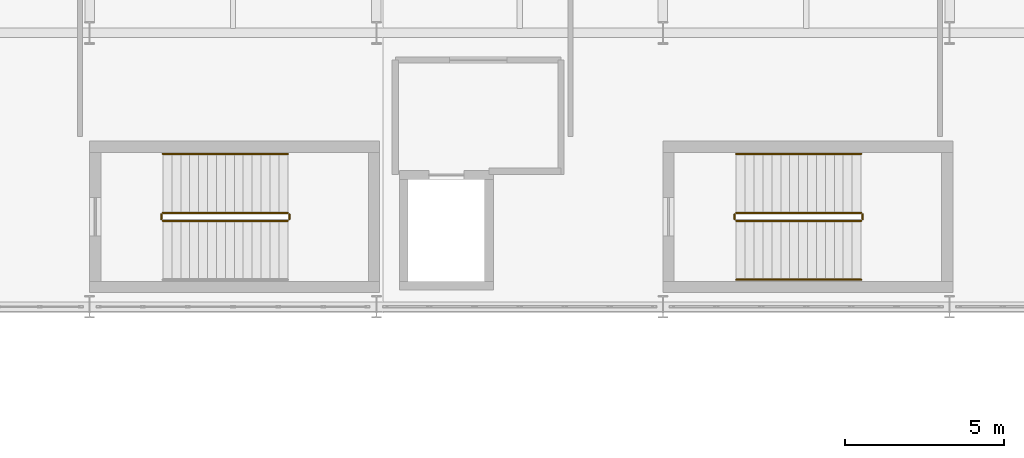
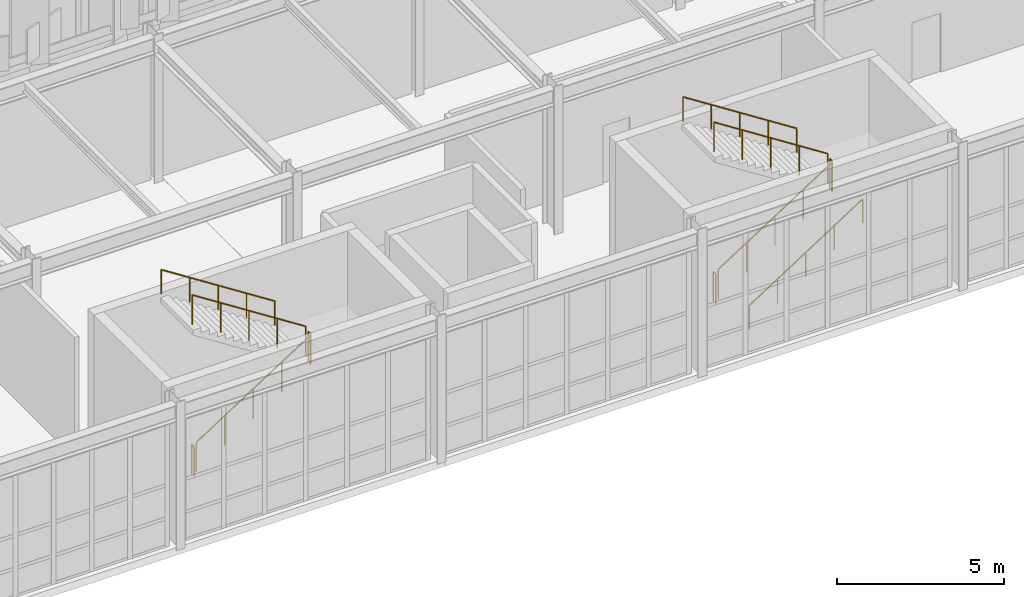
# One storey, part 185 of 210: 11 railings.
"""IFC4 building model written with IfcOpenShell, lengths in metres."""

from ifc_helpers import new_model, si_unit, direction, frame, origin, origin_2d, place, context, subcontext, project, spatial, circle, extrude, material, type_object, element, save


model = new_model("IFC4")

# Units and contexts
model_context = context("Model", 3, precision=1e-05, world=origin(), true_north=direction((0.0, 1.0)))
body_context = subcontext(model_context, "Body", "Model", "MODEL_VIEW")
ifc_project = project(units=[si_unit("LENGTHUNIT", "METRE"), si_unit("AREAUNIT", "SQUARE_METRE"), si_unit("VOLUMEUNIT", "CUBIC_METRE"), si_unit("PLANEANGLEUNIT", "RADIAN"), si_unit("MASSUNIT", "GRAM", prefix="KILO")], contexts=[model_context])

# Site, building, storey
site_placement = place(None, origin())
site = spatial("IfcSite", under=ifc_project, at=site_placement, CompositionType="ELEMENT")
building_placement = place(site_placement, origin())
building = spatial("IfcBuilding", under=site, at=building_placement, Name="Kaldris Quays Convention Centre", CompositionType="ELEMENT")
storey_placement = place(building_placement, frame((0.0, 0.0, 6.0)))
storey = spatial("IfcBuildingStorey", under=building, at=storey_placement, Name="L01", CompositionType="ELEMENT", Elevation=6.0)

# Railings
ifc_material_1 = material(Name="Steel S355J2", Category="steel")
railing_type_1 = type_object("IfcRailingType", Name="INTERIOR GUARDRAIL GR01", PredefinedType="GUARDRAIL", material=ifc_material_1)
railing_1_placement = place(storey_placement, frame((94.300048828125, 40.699951171875, 0.179931640625)))
element("IfcRailing", 1, at=railing_1_placement, inside=storey, type_object=railing_type_1, Name="L01 ST11 Stair Guardrail 1", PredefinedType="GUARDRAIL", context=body_context, shape_type="SweptSolid", body=[
    extrude(circle(Radius=0.02392578125, at=origin_2d()), frame((0.0, 0.0, 1.076171875), z_axis=(0.841171666519, 0.0, 0.540768182723), x_axis=(0.0, 1.0, 0.0)), (0.0, 0.0, 1.0), 4.66015625),
    extrude(circle(Radius=0.02099609375, at=origin_2d()), origin(), (0.0, 0.0, 1.0), 1.052001953125),
    extrude(circle(Radius=0.02099609375, at=origin_2d()), frame((0.97998046875, 0.0, 0.6298828125)), (0.0, 0.0, 1.0), 1.052001953125),
    extrude(circle(Radius=0.02099609375, at=origin_2d()), frame((1.9599609375, 0.0, 1.260009765625)), (0.0, 0.0, 1.0), 1.052001953125),
    extrude(circle(Radius=0.02099609375, at=origin_2d()), frame((2.93994140625, 0.0, 1.89013671875)), (0.0, 0.0, 1.0), 1.052001953125),
    extrude(circle(Radius=0.02099609375, at=origin_2d()), frame((3.919921875, 0.0, 2.52001953125)), (0.0, 0.0, 1.0), 1.052001953125),
])
railing_2_placement = place(storey_placement, frame((98.27001953125, 40.75, 2.699951171875)))
element("IfcRailing", 2, at=railing_2_placement, inside=storey, type_object=railing_type_1, Name="L01 ST11 Stair Guardrail 2", PredefinedType="GUARDRAIL", context=body_context, shape_type="SweptSolid", body=[
    extrude(circle(Radius=0.02392578125, at=origin_2d()), frame((0.0, 0.0, 1.076171875), z_axis=(0.0, 1.0, 0.0), x_axis=(-1.0, 0.0, 0.0)), (0.0, 0.0, 1.0), 0.14990234375),
    extrude(circle(Radius=0.02099609375, at=origin_2d()), origin(), (0.0, 0.0, 1.0), 1.052001953125),
    extrude(circle(Radius=0.02099609375, at=origin_2d()), frame((0.0, 0.14990234375, 0.0)), (0.0, 0.0, 1.0), 1.052001953125),
])
railing_3_placement = place(storey_placement, frame((98.219970703125, 40.949951171875, 2.8798828125)))
element("IfcRailing", 3, at=railing_3_placement, inside=storey, type_object=railing_type_1, Name="L01 ST11 Stair Guardrail 3", PredefinedType="GUARDRAIL", context=body_context, shape_type="SweptSolid", body=[
    extrude(circle(Radius=0.02392578125, at=origin_2d()), frame((0.0, 0.0, 1.076171875), z_axis=(-0.841171666519, 0.0, 0.540768182723), x_axis=(0.0, -1.0, 0.0)), (0.0, 0.0, 1.0), 4.66015625),
    extrude(circle(Radius=0.02099609375, at=origin_2d()), origin(), (0.0, 0.0, 1.0), 1.052001953125),
    extrude(circle(Radius=0.02099609375, at=origin_2d()), frame((-0.97998046875, 0.0, 0.6298828125)), (0.0, 0.0, 1.0), 1.052001953125),
    extrude(circle(Radius=0.02099609375, at=origin_2d()), frame((-1.9599609375, 0.0, 1.260009765625)), (0.0, 0.0, 1.0), 1.052001953125),
    extrude(circle(Radius=0.02099609375, at=origin_2d()), frame((-2.93994140625, 0.0, 1.89013671875)), (0.0, 0.0, 1.0), 1.052001953125),
    extrude(circle(Radius=0.02099609375, at=origin_2d()), frame((-3.919921875, 0.0, 2.52001953125)), (0.0, 0.0, 1.0), 1.052001953125),
])
railing_4_placement = place(storey_placement, frame((94.25, 40.75, 0.0)))
element("IfcRailing", 4, at=railing_4_placement, inside=storey, type_object=railing_type_1, Name="L01 ST11 Stair Guardrail 4", PredefinedType="GUARDRAIL", context=body_context, shape_type="SweptSolid", body=[
    extrude(circle(Radius=0.02392578125, at=origin_2d()), frame((0.0, 0.0, 1.076171875), z_axis=(0.0, 1.0, 0.0), x_axis=(-1.0, 0.0, 0.0)), (0.0, 0.0, 1.0), 0.14990234375),
    extrude(circle(Radius=0.02099609375, at=origin_2d()), origin(), (0.0, 0.0, 1.0), 1.052001953125),
    extrude(circle(Radius=0.02099609375, at=origin_2d()), frame((0.0, 0.14990234375, 0.0)), (0.0, 0.0, 1.0), 1.052001953125),
])
railing_5_placement = place(storey_placement, frame((112.300048828125, 40.699951171875, 0.179931640625)))
element("IfcRailing", 5, at=railing_5_placement, inside=storey, type_object=railing_type_1, Name="L01 ST13 Stair Guardrail 1", PredefinedType="GUARDRAIL", context=body_context, shape_type="SweptSolid", body=[
    extrude(circle(Radius=0.02392578125, at=origin_2d()), frame((0.0, 0.0, 1.076171875), z_axis=(0.841171666519, 0.0, 0.540768182723), x_axis=(0.0, 1.0, 0.0)), (0.0, 0.0, 1.0), 4.66015625),
    extrude(circle(Radius=0.02099609375, at=origin_2d()), origin(), (0.0, 0.0, 1.0), 1.052001953125),
    extrude(circle(Radius=0.02099609375, at=origin_2d()), frame((0.97998046875, 0.0, 0.6298828125)), (0.0, 0.0, 1.0), 1.052001953125),
    extrude(circle(Radius=0.02099609375, at=origin_2d()), frame((1.9599609375, 0.0, 1.260009765625)), (0.0, 0.0, 1.0), 1.052001953125),
    extrude(circle(Radius=0.02099609375, at=origin_2d()), frame((2.93994140625, 0.0, 1.89013671875)), (0.0, 0.0, 1.0), 1.052001953125),
    extrude(circle(Radius=0.02099609375, at=origin_2d()), frame((3.919921875, 0.0, 2.52001953125)), (0.0, 0.0, 1.0), 1.052001953125),
])
railing_6_placement = place(storey_placement, frame((116.27001953125, 40.75, 2.699951171875)))
element("IfcRailing", 6, at=railing_6_placement, inside=storey, type_object=railing_type_1, Name="L01 ST13 Stair Guardrail 2", PredefinedType="GUARDRAIL", context=body_context, shape_type="SweptSolid", body=[
    extrude(circle(Radius=0.02392578125, at=origin_2d()), frame((0.0, 0.0, 1.076171875), z_axis=(0.0, 1.0, 0.0), x_axis=(-1.0, 0.0, 0.0)), (0.0, 0.0, 1.0), 0.14990234375),
    extrude(circle(Radius=0.02099609375, at=origin_2d()), origin(), (0.0, 0.0, 1.0), 1.052001953125),
    extrude(circle(Radius=0.02099609375, at=origin_2d()), frame((0.0, 0.14990234375, 0.0)), (0.0, 0.0, 1.0), 1.052001953125),
])
railing_7_placement = place(storey_placement, frame((116.219970703125, 40.949951171875, 2.8798828125)))
element("IfcRailing", 7, at=railing_7_placement, inside=storey, type_object=railing_type_1, Name="L01 ST13 Stair Guardrail 3", PredefinedType="GUARDRAIL", context=body_context, shape_type="SweptSolid", body=[
    extrude(circle(Radius=0.02392578125, at=origin_2d()), frame((0.0, 0.0, 1.076171875), z_axis=(-0.841171666519, 0.0, 0.540768182723), x_axis=(0.0, -1.0, 0.0)), (0.0, 0.0, 1.0), 4.66015625),
    extrude(circle(Radius=0.02099609375, at=origin_2d()), origin(), (0.0, 0.0, 1.0), 1.052001953125),
    extrude(circle(Radius=0.02099609375, at=origin_2d()), frame((-0.97998046875, 0.0, 0.6298828125)), (0.0, 0.0, 1.0), 1.052001953125),
    extrude(circle(Radius=0.02099609375, at=origin_2d()), frame((-1.9599609375, 0.0, 1.260009765625)), (0.0, 0.0, 1.0), 1.052001953125),
    extrude(circle(Radius=0.02099609375, at=origin_2d()), frame((-2.93994140625, 0.0, 1.89013671875)), (0.0, 0.0, 1.0), 1.052001953125),
    extrude(circle(Radius=0.02099609375, at=origin_2d()), frame((-3.919921875, 0.0, 2.52001953125)), (0.0, 0.0, 1.0), 1.052001953125),
])
railing_8_placement = place(storey_placement, frame((112.25, 40.75, 0.0)))
element("IfcRailing", 8, at=railing_8_placement, inside=storey, type_object=railing_type_1, Name="L01 ST13 Stair Guardrail 4", PredefinedType="GUARDRAIL", context=body_context, shape_type="SweptSolid", body=[
    extrude(circle(Radius=0.02392578125, at=origin_2d()), frame((0.0, 0.0, 1.076171875), z_axis=(0.0, 1.0, 0.0), x_axis=(-1.0, 0.0, 0.0)), (0.0, 0.0, 1.0), 0.14990234375),
    extrude(circle(Radius=0.02099609375, at=origin_2d()), origin(), (0.0, 0.0, 1.0), 1.052001953125),
    extrude(circle(Radius=0.02099609375, at=origin_2d()), frame((0.0, 0.14990234375, 0.0)), (0.0, 0.0, 1.0), 1.052001953125),
])
ifc_material_2 = material(Name="Stainless steel 1.4301", Category="steel")
railing_type_2 = type_object("IfcRailingType", Name="STAIR HANDRAIL HR01", PredefinedType="HANDRAIL", material=ifc_material_2)
railing_9_placement = place(storey_placement, frame((98.219970703125, 42.800048828125, 2.8798828125)))
element("IfcRailing", 9, at=railing_9_placement, inside=storey, type_object=railing_type_2, Name="L01 ST11 Flight Handrail 2", PredefinedType="HANDRAIL", context=body_context, shape_type="SweptSolid", body=[
    extrude(circle(Radius=0.02392578125, at=origin_2d()), frame((0.0, 0.0, 0.8759765625), z_axis=(-0.841171666519, 0.0, 0.540768182723), x_axis=(0.0, -1.0, 0.0)), (0.0, 0.0, 1.0), 4.66015625),
    extrude(circle(Radius=0.02099609375, at=origin_2d()), origin(), (0.0, 0.0, 1.0), 0.851806640625),
    extrude(circle(Radius=0.02099609375, at=origin_2d()), frame((-0.97998046875, 0.0, 0.6298828125)), (0.0, 0.0, 1.0), 0.851806640625),
    extrude(circle(Radius=0.02099609375, at=origin_2d()), frame((-1.9599609375, 0.0, 1.260009765625)), (0.0, 0.0, 1.0), 0.851806640625),
    extrude(circle(Radius=0.02099609375, at=origin_2d()), frame((-2.93994140625, 0.0, 1.89013671875)), (0.0, 0.0, 1.0), 0.851806640625),
    extrude(circle(Radius=0.02099609375, at=origin_2d()), frame((-3.919921875, 0.0, 2.52001953125)), (0.0, 0.0, 1.0), 0.851806640625),
])
railing_10_placement = place(storey_placement, frame((112.300048828125, 38.85009765625, 0.179931640625)))
element("IfcRailing", 10, at=railing_10_placement, inside=storey, type_object=railing_type_2, Name="L01 ST13 Flight Handrail 1", PredefinedType="HANDRAIL", context=body_context, shape_type="SweptSolid", body=[
    extrude(circle(Radius=0.02392578125, at=origin_2d()), frame((0.0, 0.0, 0.8759765625), z_axis=(0.841171666519, 0.0, 0.540768182723), x_axis=(0.0, 1.0, 0.0)), (0.0, 0.0, 1.0), 4.66015625),
    extrude(circle(Radius=0.02099609375, at=origin_2d()), origin(), (0.0, 0.0, 1.0), 0.851806640625),
    extrude(circle(Radius=0.02099609375, at=origin_2d()), frame((0.97998046875, 0.0, 0.6298828125)), (0.0, 0.0, 1.0), 0.851806640625),
    extrude(circle(Radius=0.02099609375, at=origin_2d()), frame((1.9599609375, 0.0, 1.260009765625)), (0.0, 0.0, 1.0), 0.851806640625),
    extrude(circle(Radius=0.02099609375, at=origin_2d()), frame((2.93994140625, 0.0, 1.89013671875)), (0.0, 0.0, 1.0), 0.851806640625),
    extrude(circle(Radius=0.02099609375, at=origin_2d()), frame((3.919921875, 0.0, 2.52001953125)), (0.0, 0.0, 1.0), 0.851806640625),
])
railing_11_placement = place(storey_placement, frame((116.219970703125, 42.800048828125, 2.8798828125)))
element("IfcRailing", 11, at=railing_11_placement, inside=storey, type_object=railing_type_2, Name="L01 ST13 Flight Handrail 2", PredefinedType="HANDRAIL", context=body_context, shape_type="SweptSolid", body=[
    extrude(circle(Radius=0.02392578125, at=origin_2d()), frame((0.0, 0.0, 0.8759765625), z_axis=(-0.841171666519, 0.0, 0.540768182723), x_axis=(0.0, -1.0, 0.0)), (0.0, 0.0, 1.0), 4.66015625),
    extrude(circle(Radius=0.02099609375, at=origin_2d()), origin(), (0.0, 0.0, 1.0), 0.851806640625),
    extrude(circle(Radius=0.02099609375, at=origin_2d()), frame((-0.97998046875, 0.0, 0.6298828125)), (0.0, 0.0, 1.0), 0.851806640625),
    extrude(circle(Radius=0.02099609375, at=origin_2d()), frame((-1.9599609375, 0.0, 1.260009765625)), (0.0, 0.0, 1.0), 0.851806640625),
    extrude(circle(Radius=0.02099609375, at=origin_2d()), frame((-2.93994140625, 0.0, 1.89013671875)), (0.0, 0.0, 1.0), 0.851806640625),
    extrude(circle(Radius=0.02099609375, at=origin_2d()), frame((-3.919921875, 0.0, 2.52001953125)), (0.0, 0.0, 1.0), 0.851806640625),
])

save(model, "model.ifc")
